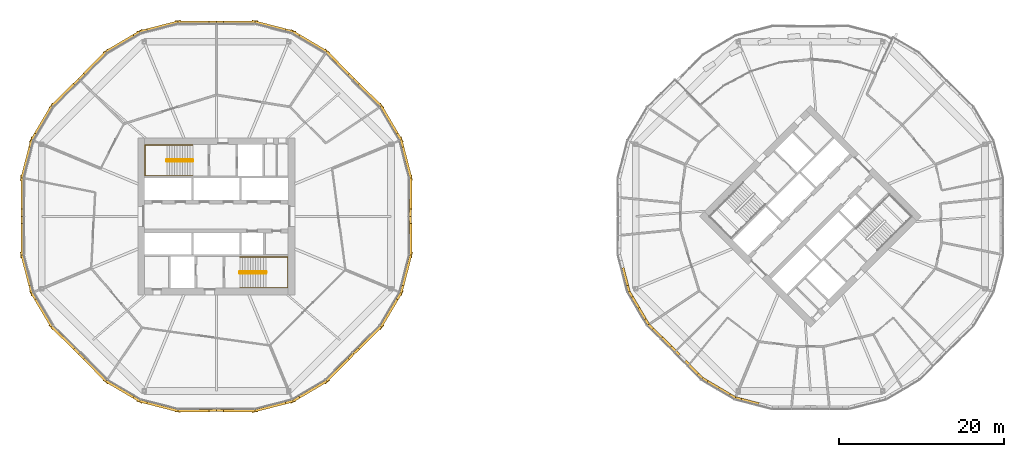
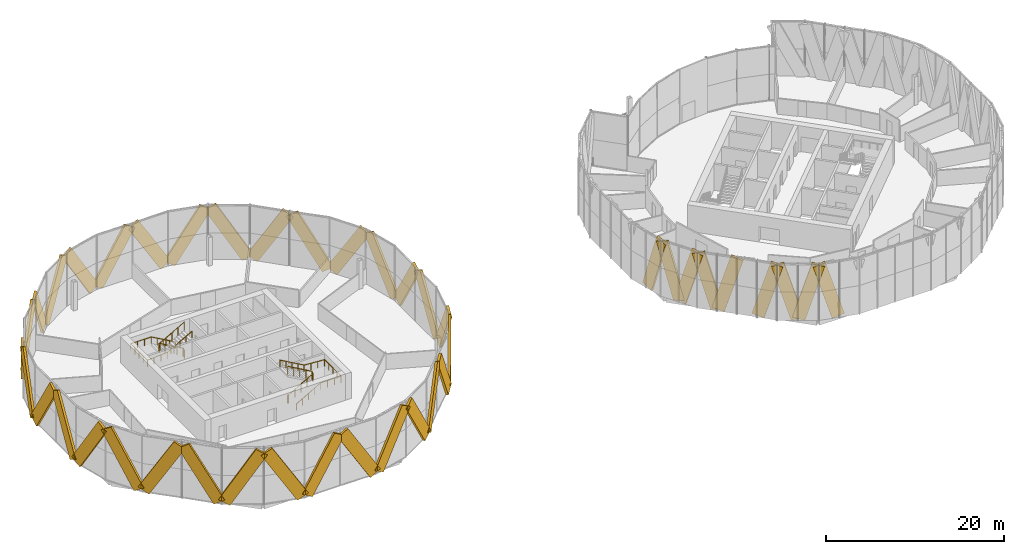
# One storey, part 28 of 31: 41 coverings, 4 railings.
"""IFC4 building model written with IfcOpenShell, lengths in metres."""

from ifc_helpers import new_model, si_unit, direction, frame, origin, origin_2d, place, context, subcontext, project, spatial, rectangle, circle, extrude, material, material_profile, profile_set, type_object, element, save


model = new_model("IFC4")

# Units and contexts
model_context = context("Model", 3, precision=1e-05, world=origin(), true_north=direction((0.0, 1.0)))
body_context = subcontext(model_context, "Body", "Model", "MODEL_VIEW")
ifc_project = project(units=[si_unit("LENGTHUNIT", "METRE"), si_unit("AREAUNIT", "SQUARE_METRE"), si_unit("VOLUMEUNIT", "CUBIC_METRE"), si_unit("PLANEANGLEUNIT", "RADIAN"), si_unit("MASSUNIT", "GRAM", prefix="KILO")], contexts=[model_context])

# Site, building, storey
site_placement = place(None, origin())
site = spatial("IfcSite", under=ifc_project, at=site_placement, CompositionType="ELEMENT")
building_placement = place(site_placement, origin())
building = spatial("IfcBuilding", under=site, at=building_placement, Name="Ogive Gate Towers", CompositionType="ELEMENT")
storey_placement = place(building_placement, frame((0.0, 0.0, 63.60009765625)))
storey = spatial("IfcBuildingStorey", under=building, at=storey_placement, Name="L14", CompositionType="ELEMENT", Elevation=63.60009765625)

# Coverings
ifc_material_1 = material(Name="Pale metal aluminium", Category="aluminium")
ifc_material_profile = material_profile(ifc_material_1, rectangle(XDim=0.300048828125, YDim=1.5, at=origin_2d()), Name="1500 x 300 pale metal aluminium")
ifc_profile_set = profile_set([ifc_material_profile], Name="Pale metal aluminium")
covering_type = type_object("IfcCoveringType", Name="Facade fin 1500 x 300", PredefinedType="CLADDING", material=ifc_profile_set)
covering_1_placement = place(storey_placement, frame((-12.437744140625, 4.402587890625, 0.136962890625), z_axis=(-0.004952087992, -0.515923020897, 0.856620635598), x_axis=(0.999953937565, -0.009598059567, 0.0)))
element("IfcCovering", 1, at=covering_1_placement, inside=storey, type_object=covering_type, Name="Facade fin", PredefinedType="CLADDING", context=body_context, shape_type="SweptSolid", body=[
    extrude(rectangle(XDim=0.300048828125, YDim=1.5, at=origin_2d()), origin(), (0.0, 0.0, 1.0), 8.085205078125),
])
covering_2_placement = place(storey_placement, frame((-12.501708984375, 4.9208984375, 0.140625), z_axis=(-0.129824733798, 0.504509156934, 0.853590094286), x_axis=(-0.968449485459, -0.249209939837, 0.0)))
element("IfcCovering", 2, at=covering_2_placement, inside=storey, type_object=covering_type, Name="Facade fin", PredefinedType="CLADDING", context=body_context, shape_type="SweptSolid", body=[
    extrude(rectangle(XDim=0.300048828125, YDim=1.5, at=origin_2d()), origin(), (0.0, 0.0, 1.0), 8.105224609375),
])
covering_3_placement = place(storey_placement, frame((-15.904296875, 13.13623046875, 0.140625), z_axis=(0.264922118962, -0.448545227228, 0.853594429466), x_axis=(0.861033564739, 0.508548129869, 0.0)))
element("IfcCovering", 3, at=covering_3_placement, inside=storey, type_object=covering_type, Name="Facade fin", PredefinedType="CLADDING", context=body_context, shape_type="SweptSolid", body=[
    extrude(rectangle(XDim=0.300048828125, YDim=1.5, at=origin_2d()), origin(), (0.0, 0.0, 1.0), 8.10498046875),
])
for number, where, z_axis, x_axis, name in (
    (4, (-16.2255859375, 13.5478515625, 0.136962890625), (-0.368345688178, 0.361340507454, 0.856594706774), (-0.7002860986, -0.713862297721, 0.0), "Facade fin"),
    (5, (-22.4521484375, 19.7744140625, 0.136962890625), (0.361340507454, -0.368345688178, 0.856594706774), (0.713862297721, 0.7002860986, 0.0), "Facade fin"),
):
    element("IfcCovering", number, at=place(storey_placement, frame(where, z_axis=z_axis, x_axis=x_axis)), inside=storey, type_object=covering_type, Name=name, PredefinedType="CLADDING", context=body_context, shape_type="SweptSolid", body=[
        extrude(rectangle(XDim=0.300048828125, YDim=1.5, at=origin_2d()), origin(), (0.0, 0.0, 1.0), 8.08544921875),
    ])
covering_4_placement = place(storey_placement, frame((-22.86376953125, 20.095703125, 0.140625), z_axis=(-0.448545227228, 0.264922118962, 0.853594429466), x_axis=(-0.508548129869, -0.861033564739, 0.0)))
element("IfcCovering", 6, at=covering_4_placement, inside=storey, type_object=covering_type, Name="Facade fin", PredefinedType="CLADDING", context=body_context, shape_type="SweptSolid", body=[
    extrude(rectangle(XDim=0.300048828125, YDim=1.5, at=origin_2d()), origin(), (0.0, 0.0, 1.0), 8.10498046875),
])
covering_5_placement = place(storey_placement, frame((-31.0791015625, 23.498291015625, 0.140625), z_axis=(0.504509156934, -0.129824733798, 0.853590094286), x_axis=(0.249209939837, 0.968449485459, 0.0)))
element("IfcCovering", 7, at=covering_5_placement, inside=storey, type_object=covering_type, Name="Facade fin", PredefinedType="CLADDING", context=body_context, shape_type="SweptSolid", body=[
    extrude(rectangle(XDim=0.300048828125, YDim=1.5, at=origin_2d()), origin(), (0.0, 0.0, 1.0), 8.105224609375),
])
for number, where, z_axis, x_axis, name in (
    (8, (-31.597412109375, 23.562255859375, 0.136962890625), (-0.515923020897, -0.004952087992, 0.856620635598), (0.009598059567, -0.999953937565, 0.0), "Facade fin"),
    (9, (-40.402587890625, 23.562255859375, 0.136962890625), (0.515923020897, -0.004952087992, 0.856620635598), (0.009598059567, 0.999953937565, 0.0), "Facade fin"),
):
    element("IfcCovering", number, at=place(storey_placement, frame(where, z_axis=z_axis, x_axis=x_axis)), inside=storey, type_object=covering_type, Name=name, PredefinedType="CLADDING", context=body_context, shape_type="SweptSolid", body=[
        extrude(rectangle(XDim=0.300048828125, YDim=1.5, at=origin_2d()), origin(), (0.0, 0.0, 1.0), 8.085205078125),
    ])
covering_6_placement = place(storey_placement, frame((-40.9208984375, 23.498291015625, 0.140625), z_axis=(-0.504509156934, -0.129824733798, 0.853590094286), x_axis=(0.249209939837, -0.968449485459, 0.0)))
element("IfcCovering", 10, at=covering_6_placement, inside=storey, type_object=covering_type, Name="Facade fin", PredefinedType="CLADDING", context=body_context, shape_type="SweptSolid", body=[
    extrude(rectangle(XDim=0.300048828125, YDim=1.5, at=origin_2d()), origin(), (0.0, 0.0, 1.0), 8.105224609375),
])
covering_7_placement = place(storey_placement, frame((-49.13623046875, 20.095703125, 0.140625), z_axis=(0.448545227228, 0.264922118962, 0.853594429466), x_axis=(-0.508548129869, 0.861033564739, 0.0)))
element("IfcCovering", 11, at=covering_7_placement, inside=storey, type_object=covering_type, Name="Facade fin", PredefinedType="CLADDING", context=body_context, shape_type="SweptSolid", body=[
    extrude(rectangle(XDim=0.300048828125, YDim=1.5, at=origin_2d()), origin(), (0.0, 0.0, 1.0), 8.10498046875),
])
for number, where, z_axis, x_axis, name in (
    (12, (-49.5478515625, 19.7744140625, 0.136962890625), (-0.361340507454, -0.368345688178, 0.856594706774), (0.713862297721, -0.7002860986, 0.0), "Facade fin"),
    (13, (-55.7744140625, 13.5478515625, 0.136962890625), (0.368345688178, 0.361340507454, 0.856594706774), (-0.7002860986, 0.713862297721, 0.0), "Facade fin"),
):
    element("IfcCovering", number, at=place(storey_placement, frame(where, z_axis=z_axis, x_axis=x_axis)), inside=storey, type_object=covering_type, Name=name, PredefinedType="CLADDING", context=body_context, shape_type="SweptSolid", body=[
        extrude(rectangle(XDim=0.300048828125, YDim=1.5, at=origin_2d()), origin(), (0.0, 0.0, 1.0), 8.08544921875),
    ])
covering_8_placement = place(storey_placement, frame((-56.095703125, 13.13623046875, 0.140625), z_axis=(-0.264922118962, -0.448545227228, 0.853594429466), x_axis=(0.861033564739, -0.508548129869, 0.0)))
element("IfcCovering", 14, at=covering_8_placement, inside=storey, type_object=covering_type, Name="Facade fin", PredefinedType="CLADDING", context=body_context, shape_type="SweptSolid", body=[
    extrude(rectangle(XDim=0.300048828125, YDim=1.5, at=origin_2d()), origin(), (0.0, 0.0, 1.0), 8.10498046875),
])
covering_9_placement = place(storey_placement, frame((-59.498291015625, 4.9208984375, 0.140625), z_axis=(0.129824733798, 0.504509156934, 0.853590094286), x_axis=(-0.968449485459, 0.249209939837, 0.0)))
element("IfcCovering", 15, at=covering_9_placement, inside=storey, type_object=covering_type, Name="Facade fin", PredefinedType="CLADDING", context=body_context, shape_type="SweptSolid", body=[
    extrude(rectangle(XDim=0.300048828125, YDim=1.5, at=origin_2d()), origin(), (0.0, 0.0, 1.0), 8.105224609375),
])
for number, where, z_axis, x_axis, name in (
    (16, (-59.562255859375, 4.402587890625, 0.136962890625), (0.004952087992, -0.515923020897, 0.856620635598), (0.999953937565, 0.009598059567, 0.0), "Facade fin"),
    (17, (-59.562255859375, -4.402587890625, 0.136962890625), (0.004952087992, 0.515923020897, 0.856620635598), (-0.999953937565, 0.009598059567, 0.0), "Facade fin"),
):
    element("IfcCovering", number, at=place(storey_placement, frame(where, z_axis=z_axis, x_axis=x_axis)), inside=storey, type_object=covering_type, Name=name, PredefinedType="CLADDING", context=body_context, shape_type="SweptSolid", body=[
        extrude(rectangle(XDim=0.300048828125, YDim=1.5, at=origin_2d()), origin(), (0.0, 0.0, 1.0), 8.085205078125),
    ])
covering_10_placement = place(storey_placement, frame((-59.498291015625, -4.9208984375, 0.140625), z_axis=(0.129824733798, -0.504509156934, 0.853590094286), x_axis=(0.968449485459, 0.249209939837, 0.0)))
element("IfcCovering", 18, at=covering_10_placement, inside=storey, type_object=covering_type, Name="Facade fin", PredefinedType="CLADDING", context=body_context, shape_type="SweptSolid", body=[
    extrude(rectangle(XDim=0.300048828125, YDim=1.5, at=origin_2d()), origin(), (0.0, 0.0, 1.0), 8.105224609375),
])
covering_11_placement = place(storey_placement, frame((-56.095703125, -13.13623046875, 0.140625), z_axis=(-0.264922118962, 0.448545227228, 0.853594429466), x_axis=(-0.861033564739, -0.508548129869, 0.0)))
element("IfcCovering", 19, at=covering_11_placement, inside=storey, type_object=covering_type, Name="Facade fin", PredefinedType="CLADDING", context=body_context, shape_type="SweptSolid", body=[
    extrude(rectangle(XDim=0.300048828125, YDim=1.5, at=origin_2d()), origin(), (0.0, 0.0, 1.0), 8.10498046875),
])
for number, where, z_axis, x_axis, name in (
    (20, (-55.7744140625, -13.5478515625, 0.136962890625), (0.368345688178, -0.361340507454, 0.856594706774), (0.7002860986, 0.713862297721, 0.0), "Facade fin"),
    (21, (-49.5478515625, -19.7744140625, 0.136962890625), (-0.361340507454, 0.368345688178, 0.856594706774), (-0.713862297721, -0.7002860986, 0.0), "Facade fin"),
):
    element("IfcCovering", number, at=place(storey_placement, frame(where, z_axis=z_axis, x_axis=x_axis)), inside=storey, type_object=covering_type, Name=name, PredefinedType="CLADDING", context=body_context, shape_type="SweptSolid", body=[
        extrude(rectangle(XDim=0.300048828125, YDim=1.5, at=origin_2d()), origin(), (0.0, 0.0, 1.0), 8.08544921875),
    ])
covering_12_placement = place(storey_placement, frame((-49.13623046875, -20.095703125, 0.140625), z_axis=(0.448545227228, -0.264922118962, 0.853594429466), x_axis=(0.508548129869, 0.861033564739, 0.0)))
element("IfcCovering", 22, at=covering_12_placement, inside=storey, type_object=covering_type, Name="Facade fin", PredefinedType="CLADDING", context=body_context, shape_type="SweptSolid", body=[
    extrude(rectangle(XDim=0.300048828125, YDim=1.5, at=origin_2d()), origin(), (0.0, 0.0, 1.0), 8.10498046875),
])
covering_13_placement = place(storey_placement, frame((-40.9208984375, -23.498291015625, 0.140625), z_axis=(-0.504509156934, 0.129824733798, 0.853590094286), x_axis=(-0.249209939837, -0.968449485459, 0.0)))
element("IfcCovering", 23, at=covering_13_placement, inside=storey, type_object=covering_type, Name="Facade fin", PredefinedType="CLADDING", context=body_context, shape_type="SweptSolid", body=[
    extrude(rectangle(XDim=0.300048828125, YDim=1.5, at=origin_2d()), origin(), (0.0, 0.0, 1.0), 8.105224609375),
])
for number, where, z_axis, x_axis, name in (
    (24, (-40.402587890625, -23.562255859375, 0.136962890625), (0.515923020897, 0.004952087992, 0.856620635598), (-0.009598059567, 0.999953937565, 0.0), "Facade fin"),
    (25, (-31.597412109375, -23.562255859375, 0.136962890625), (-0.515923020897, 0.004952087992, 0.856620635598), (-0.009598059567, -0.999953937565, 0.0), "Facade fin"),
):
    element("IfcCovering", number, at=place(storey_placement, frame(where, z_axis=z_axis, x_axis=x_axis)), inside=storey, type_object=covering_type, Name=name, PredefinedType="CLADDING", context=body_context, shape_type="SweptSolid", body=[
        extrude(rectangle(XDim=0.300048828125, YDim=1.5, at=origin_2d()), origin(), (0.0, 0.0, 1.0), 8.085205078125),
    ])
covering_14_placement = place(storey_placement, frame((-31.0791015625, -23.498291015625, 0.140625), z_axis=(0.504509156934, 0.129824733798, 0.853590094286), x_axis=(-0.249209939837, 0.968449485459, 0.0)))
element("IfcCovering", 26, at=covering_14_placement, inside=storey, type_object=covering_type, Name="Facade fin", PredefinedType="CLADDING", context=body_context, shape_type="SweptSolid", body=[
    extrude(rectangle(XDim=0.300048828125, YDim=1.5, at=origin_2d()), origin(), (0.0, 0.0, 1.0), 8.105224609375),
])
covering_15_placement = place(storey_placement, frame((-22.86376953125, -20.095703125, 0.140625), z_axis=(-0.448545227228, -0.264922118962, 0.853594429466), x_axis=(0.508548129869, -0.861033564739, 0.0)))
element("IfcCovering", 27, at=covering_15_placement, inside=storey, type_object=covering_type, Name="Facade fin", PredefinedType="CLADDING", context=body_context, shape_type="SweptSolid", body=[
    extrude(rectangle(XDim=0.300048828125, YDim=1.5, at=origin_2d()), origin(), (0.0, 0.0, 1.0), 8.10498046875),
])
for number, where, z_axis, x_axis, name in (
    (28, (-22.4521484375, -19.7744140625, 0.136962890625), (0.361340507454, 0.368345688178, 0.856594706774), (-0.713862297721, 0.7002860986, 0.0), "Facade fin"),
    (29, (-16.2255859375, -13.5478515625, 0.136962890625), (-0.368345688178, -0.361340507454, 0.856594706774), (0.7002860986, -0.713862297721, 0.0), "Facade fin"),
):
    element("IfcCovering", number, at=place(storey_placement, frame(where, z_axis=z_axis, x_axis=x_axis)), inside=storey, type_object=covering_type, Name=name, PredefinedType="CLADDING", context=body_context, shape_type="SweptSolid", body=[
        extrude(rectangle(XDim=0.300048828125, YDim=1.5, at=origin_2d()), origin(), (0.0, 0.0, 1.0), 8.08544921875),
    ])
covering_16_placement = place(storey_placement, frame((-15.904296875, -13.13623046875, 0.140625), z_axis=(0.264922118962, 0.448545227228, 0.853594429466), x_axis=(-0.861033564739, 0.508548129869, 0.0)))
element("IfcCovering", 30, at=covering_16_placement, inside=storey, type_object=covering_type, Name="Facade fin", PredefinedType="CLADDING", context=body_context, shape_type="SweptSolid", body=[
    extrude(rectangle(XDim=0.300048828125, YDim=1.5, at=origin_2d()), origin(), (0.0, 0.0, 1.0), 8.10498046875),
])
covering_17_placement = place(storey_placement, frame((-12.501708984375, -4.9208984375, 0.140625), z_axis=(-0.129824733798, -0.504509156934, 0.853590094286), x_axis=(0.968449485459, -0.249209939837, 0.0)))
element("IfcCovering", 31, at=covering_17_placement, inside=storey, type_object=covering_type, Name="Facade fin", PredefinedType="CLADDING", context=body_context, shape_type="SweptSolid", body=[
    extrude(rectangle(XDim=0.300048828125, YDim=1.5, at=origin_2d()), origin(), (0.0, 0.0, 1.0), 8.105224609375),
])
covering_18_placement = place(storey_placement, frame((-12.437744140625, -4.402587890625, 0.136962890625), z_axis=(-0.004952087992, 0.515923020897, 0.856620635598), x_axis=(-0.999953937565, -0.009598059567, 0.0)))
element("IfcCovering", 32, at=covering_18_placement, inside=storey, type_object=covering_type, Name="Facade fin", PredefinedType="CLADDING", context=body_context, shape_type="SweptSolid", body=[
    extrude(rectangle(XDim=0.300048828125, YDim=1.5, at=origin_2d()), origin(), (0.0, 0.0, 1.0), 8.085205078125),
])
covering_19_placement = place(storey_placement, frame((18.05419921875, -14.75341796875, -0.136474609375), z_axis=(0.203432553912, -0.199560066539, 0.958535850061), x_axis=(0.700279630907, 0.713868642354, 0.0)))
element("IfcCovering", 33, at=covering_19_placement, inside=storey, type_object=covering_type, Name="Facade fin", PredefinedType="CLADDING", context=body_context, shape_type="SweptSolid", body=[
    extrude(rectangle(XDim=0.300048828125, YDim=1.5, at=origin_2d()), origin(), (0.0, 0.0, 1.0), 7.69140625),
])
covering_20_placement = place(storey_placement, frame((17.963623046875, -14.664306640625, -0.136474609375), z_axis=(-0.203462981693, 0.199558777832, 0.958529660089), x_axis=(-0.700223950819, -0.713923258271, 0.0)))
element("IfcCovering", 34, at=covering_20_placement, inside=storey, type_object=covering_type, Name="Facade fin", PredefinedType="CLADDING", context=body_context, shape_type="SweptSolid", body=[
    extrude(rectangle(XDim=0.300048828125, YDim=1.5, at=origin_2d()), origin(), (0.0, 0.0, 1.0), 7.691650390625),
])
for number, where, z_axis, x_axis, name in (
    (35, (15.2255859375, -11.160888671875, -0.1337890625), (0.146654346537, -0.248347808383, 0.957505022814), (0.86107323281, 0.508480961038, 0.0), "Facade fin"),
    (36, (15.1591796875, -11.048828125, -0.1337890625), (-0.146654346537, 0.248347808383, 0.957505022814), (-0.86107323281, -0.508480961038, 0.0), "Facade fin"),
    (37, (13.45068359375, -6.924072265625, -0.1337890625), (0.071899240348, -0.279315539621, 0.957503696371), (0.968429977882, 0.249285735531, 0.0), "Facade fin"),
    (38, (29.075927734375, -22.54931640625, -0.1337890625), (-0.279315539621, 0.071899240348, 0.957503696371), (-0.249285735531, -0.968429977882, 0.0), "Facade fin"),
    (39, (24.951171875, -20.8408203125, -0.1337890625), (0.248347808383, -0.146654346537, 0.957505022814), (0.508480961038, 0.86107323281, 0.0), "Facade fin"),
    (40, (24.839111328125, -20.7744140625, -0.1337890625), (-0.248347808383, 0.146654346537, 0.957505022814), (-0.508480961038, -0.86107323281, 0.0), "Facade fin"),
):
    element("IfcCovering", number, at=place(storey_placement, frame(where, z_axis=z_axis, x_axis=x_axis)), inside=storey, type_object=covering_type, Name=name, PredefinedType="CLADDING", context=body_context, shape_type="SweptSolid", body=[
        extrude(rectangle(XDim=0.300048828125, YDim=1.5, at=origin_2d()), origin(), (0.0, 0.0, 1.0), 7.6943359375),
    ])
covering_21_placement = place(storey_placement, frame((21.335693359375, -18.036376953125, -0.136474609375), z_axis=(0.199558777832, -0.203462981693, 0.958529660089), x_axis=(0.713923258271, 0.700223950819, 0.0)))
element("IfcCovering", 41, at=covering_21_placement, inside=storey, type_object=covering_type, Name="Facade fin", PredefinedType="CLADDING", context=body_context, shape_type="SweptSolid", body=[
    extrude(rectangle(XDim=0.300048828125, YDim=1.5, at=origin_2d()), origin(), (0.0, 0.0, 1.0), 7.691650390625),
])

# Railings
ifc_material_2 = material(Name="Stainless steel", Category="steel")
railing_type_1 = type_object("IfcRailingType", Name="Stair guard 1100", PredefinedType="GUARDRAIL", material=ifc_material_2)
railing_1_placement = place(storey_placement, frame((-38.81494140625, 6.860107421875, 0.0)))
element("IfcRailing", 42, at=railing_1_placement, inside=storey, type_object=railing_type_1, Name="L14 ST1 stair guard 1", PredefinedType="GUARDRAIL", context=body_context, shape_type="SweptSolid", body=[
    extrude(circle(Radius=0.02392578125, at=origin_2d()), frame((0.0, 0.0, 1.076171875), z_axis=(0.0, -1.0, 0.0), x_axis=(1.0, 0.0, 0.0)), (0.0, 0.0, 1.0), 0.14501953125),
    extrude(circle(Radius=0.02392578125, at=origin_2d()), frame((0.0, -0.14501953125, 1.076171875), z_axis=(-0.186679794065, 0.726685247142, 0.661119660934), x_axis=(-0.968551454522, -0.24881334358, 0.0)), (0.0, 0.0, 1.0), 0.26806640625),
    extrude(circle(Radius=0.02392578125, at=origin_2d()), frame((-0.050048828125, 0.0498046875, 1.25341796875), z_axis=(-0.870572935281, 0.0, 0.492039393094), x_axis=(0.0, -1.0, 0.0)), (0.0, 0.0, 1.0), 3.602783203125),
    extrude(circle(Radius=0.02392578125, at=origin_2d()), frame((-3.1865234375, 0.0498046875, 3.02587890625), z_axis=(-0.707106781187, -0.707106781187, 0.0), x_axis=(0.707106781187, -0.707106781187, 0.0)), (0.0, 0.0, 1.0), 0.0703125),
    extrude(circle(Radius=0.02392578125, at=origin_2d()), frame((-3.236328125, 0.0, 3.02587890625), z_axis=(0.0, -1.0, 0.0), x_axis=(1.0, 0.0, 0.0)), (0.0, 0.0, 1.0), 0.14501953125),
    extrude(circle(Radius=0.02392578125, at=origin_2d()), frame((-3.236328125, -0.14501953125, 3.02587890625), z_axis=(0.261041864531, -0.262321481514, 0.929001929653), x_axis=(0.708833529934, 0.705375805398, 0.0)), (0.0, 0.0, 1.0), 0.190673828125),
    extrude(circle(Radius=0.02392578125, at=origin_2d()), frame((-3.1865234375, -0.195068359375, 3.203125), z_axis=(0.870572935281, 0.0, 0.492039393094), x_axis=(0.0, 1.0, 0.0)), (0.0, 0.0, 1.0), 3.602783203125),
    extrude(circle(Radius=0.02099609375, at=origin_2d()), origin(), (0.0, 0.0, 1.0), 1.052001953125),
    extrude(circle(Radius=0.02099609375, at=origin_2d()), frame((0.0, -0.14501953125, 0.0)), (0.0, 0.0, 1.0), 1.052001953125),
    extrude(circle(Radius=0.02099609375, at=origin_2d()), frame((-0.050048828125, 0.0498046875, 0.17724609375)), (0.0, 0.0, 1.0), 1.052001953125),
    extrude(circle(Radius=0.02099609375, at=origin_2d()), frame((-0.834228515625, 0.0498046875, 0.620361328125)), (0.0, 0.0, 1.0), 1.052001953125),
    extrude(circle(Radius=0.02099609375, at=origin_2d()), frame((-1.6181640625, 0.0498046875, 1.0634765625)), (0.0, 0.0, 1.0), 1.052001953125),
    extrude(circle(Radius=0.02099609375, at=origin_2d()), frame((-2.40234375, 0.0498046875, 1.5068359375)), (0.0, 0.0, 1.0), 1.052001953125),
    extrude(circle(Radius=0.02099609375, at=origin_2d()), frame((-3.1865234375, 0.0498046875, 1.949951171875)), (0.0, 0.0, 1.0), 1.052001953125),
    extrude(circle(Radius=0.02099609375, at=origin_2d()), frame((-3.236328125, 0.0, 1.949951171875)), (0.0, 0.0, 1.0), 1.052001953125),
    extrude(circle(Radius=0.02099609375, at=origin_2d()), frame((-3.236328125, -0.14501953125, 1.949951171875)), (0.0, 0.0, 1.0), 1.052001953125),
    extrude(circle(Radius=0.02099609375, at=origin_2d()), frame((-3.1865234375, -0.195068359375, 2.127197265625)), (0.0, 0.0, 1.0), 1.052001953125),
    extrude(circle(Radius=0.02099609375, at=origin_2d()), frame((-2.40234375, -0.195068359375, 2.5703125)), (0.0, 0.0, 1.0), 1.052001953125),
    extrude(circle(Radius=0.02099609375, at=origin_2d()), frame((-1.6181640625, -0.195068359375, 3.013671875)), (0.0, 0.0, 1.0), 1.052001953125),
    extrude(circle(Radius=0.02099609375, at=origin_2d()), frame((-0.834228515625, -0.195068359375, 3.456787109375)), (0.0, 0.0, 1.0), 1.052001953125),
    extrude(circle(Radius=0.02099609375, at=origin_2d()), frame((-0.050048828125, -0.195068359375, 3.89990234375)), (0.0, 0.0, 1.0), 1.052001953125),
])
railing_2_placement = place(storey_placement, frame((-33.18505859375, -6.860107421875, 0.0)))
element("IfcRailing", 43, at=railing_2_placement, inside=storey, type_object=railing_type_1, Name="L14 ST2 stair guard 1", PredefinedType="GUARDRAIL", context=body_context, shape_type="SweptSolid", body=[
    extrude(circle(Radius=0.02392578125, at=origin_2d()), frame((0.0, 0.0, 1.076171875), z_axis=(0.0, 1.0, 0.0), x_axis=(-1.0, 0.0, 0.0)), (0.0, 0.0, 1.0), 0.14501953125),
    extrude(circle(Radius=0.02392578125, at=origin_2d()), frame((0.0, 0.14501953125, 1.076171875), z_axis=(0.186679794065, -0.726685247142, 0.661119660934), x_axis=(0.968551454522, 0.24881334358, 0.0)), (0.0, 0.0, 1.0), 0.26806640625),
    extrude(circle(Radius=0.02392578125, at=origin_2d()), frame((0.050048828125, -0.0498046875, 1.25341796875), z_axis=(0.870572935281, 0.0, 0.492039393094), x_axis=(0.0, 1.0, 0.0)), (0.0, 0.0, 1.0), 3.602783203125),
    extrude(circle(Radius=0.02392578125, at=origin_2d()), frame((3.1865234375, -0.0498046875, 3.02587890625), z_axis=(0.707106781187, 0.707106781187, 0.0), x_axis=(-0.707106781187, 0.707106781187, 0.0)), (0.0, 0.0, 1.0), 0.0703125),
    extrude(circle(Radius=0.02392578125, at=origin_2d()), frame((3.236328125, 0.0, 3.02587890625), z_axis=(0.0, 1.0, 0.0), x_axis=(-1.0, 0.0, 0.0)), (0.0, 0.0, 1.0), 0.14501953125),
    extrude(circle(Radius=0.02392578125, at=origin_2d()), frame((3.236328125, 0.14501953125, 3.02587890625), z_axis=(-0.261041864531, 0.262321481514, 0.929001929653), x_axis=(-0.708833529934, -0.705375805398, 0.0)), (0.0, 0.0, 1.0), 0.190673828125),
    extrude(circle(Radius=0.02392578125, at=origin_2d()), frame((3.1865234375, 0.195068359375, 3.203125), z_axis=(-0.870572935281, 0.0, 0.492039393094), x_axis=(0.0, -1.0, 0.0)), (0.0, 0.0, 1.0), 3.602783203125),
    extrude(circle(Radius=0.02099609375, at=origin_2d()), origin(), (0.0, 0.0, 1.0), 1.052001953125),
    extrude(circle(Radius=0.02099609375, at=origin_2d()), frame((0.0, 0.14501953125, 0.0)), (0.0, 0.0, 1.0), 1.052001953125),
    extrude(circle(Radius=0.02099609375, at=origin_2d()), frame((0.050048828125, -0.0498046875, 0.17724609375)), (0.0, 0.0, 1.0), 1.052001953125),
    extrude(circle(Radius=0.02099609375, at=origin_2d()), frame((0.834228515625, -0.0498046875, 0.620361328125)), (0.0, 0.0, 1.0), 1.052001953125),
    extrude(circle(Radius=0.02099609375, at=origin_2d()), frame((1.6181640625, -0.0498046875, 1.0634765625)), (0.0, 0.0, 1.0), 1.052001953125),
    extrude(circle(Radius=0.02099609375, at=origin_2d()), frame((2.40234375, -0.0498046875, 1.5068359375)), (0.0, 0.0, 1.0), 1.052001953125),
    extrude(circle(Radius=0.02099609375, at=origin_2d()), frame((3.1865234375, -0.0498046875, 1.949951171875)), (0.0, 0.0, 1.0), 1.052001953125),
    extrude(circle(Radius=0.02099609375, at=origin_2d()), frame((3.236328125, 0.0, 1.949951171875)), (0.0, 0.0, 1.0), 1.052001953125),
    extrude(circle(Radius=0.02099609375, at=origin_2d()), frame((3.236328125, 0.14501953125, 1.949951171875)), (0.0, 0.0, 1.0), 1.052001953125),
    extrude(circle(Radius=0.02099609375, at=origin_2d()), frame((3.1865234375, 0.195068359375, 2.127197265625)), (0.0, 0.0, 1.0), 1.052001953125),
    extrude(circle(Radius=0.02099609375, at=origin_2d()), frame((2.40234375, 0.195068359375, 2.5703125)), (0.0, 0.0, 1.0), 1.052001953125),
    extrude(circle(Radius=0.02099609375, at=origin_2d()), frame((1.6181640625, 0.195068359375, 3.013671875)), (0.0, 0.0, 1.0), 1.052001953125),
    extrude(circle(Radius=0.02099609375, at=origin_2d()), frame((0.834228515625, 0.195068359375, 3.456787109375)), (0.0, 0.0, 1.0), 1.052001953125),
    extrude(circle(Radius=0.02099609375, at=origin_2d()), frame((0.050048828125, 0.195068359375, 3.89990234375)), (0.0, 0.0, 1.0), 1.052001953125),
])
railing_type_2 = type_object("IfcRailingType", Name="Stair handrail 900", PredefinedType="HANDRAIL", material=ifc_material_2)
railing_3_placement = place(storey_placement, frame((-38.864990234375, 8.64990234375, 0.17724609375)))
element("IfcRailing", 44, at=railing_3_placement, inside=storey, type_object=railing_type_2, Name="L14 ST1 stair handrail 1", PredefinedType="HANDRAIL", context=body_context, shape_type="SweptSolid", body=[
    extrude(circle(Radius=0.02392578125, at=origin_2d()), frame((0.0, 0.0, 0.8759765625), z_axis=(-0.870572935281, 0.0, 0.492039393094), x_axis=(0.0, -1.0, 0.0)), (0.0, 0.0, 1.0), 3.602783203125),
    extrude(circle(Radius=0.02392578125, at=origin_2d()), frame((-3.136474609375, 0.0, 2.6484375), z_axis=(-1.0, 0.0, 0.0), x_axis=(0.0, -1.0, 0.0)), (0.0, 0.0, 1.0), 2.6484375),
    extrude(circle(Radius=0.02392578125, at=origin_2d()), frame((-5.784912109375, 0.0, 2.6484375), z_axis=(0.0, -1.0, 0.0), x_axis=(1.0, 0.0, 0.0)), (0.0, 0.0, 1.0), 3.724853515625),
    extrude(circle(Radius=0.02392578125, at=origin_2d()), frame((-5.784912109375, -3.724853515625, 2.6484375), z_axis=(0.997768031817, 0.0, 0.066775404784), x_axis=(0.0, 1.0, 0.0)), (0.0, 0.0, 1.0), 2.654296875),
    extrude(circle(Radius=0.02392578125, at=origin_2d()), frame((-3.136474609375, -3.724853515625, 2.82568359375), z_axis=(0.870572935281, 0.0, 0.492039393094), x_axis=(0.0, 1.0, 0.0)), (0.0, 0.0, 1.0), 3.602783203125),
    extrude(circle(Radius=0.02099609375, at=origin_2d()), origin(), (0.0, 0.0, 1.0), 0.851806640625),
    extrude(circle(Radius=0.02099609375, at=origin_2d()), frame((-0.7841796875, 0.0, 0.443115234375)), (0.0, 0.0, 1.0), 0.851806640625),
    extrude(circle(Radius=0.02099609375, at=origin_2d()), frame((-1.568359375, 0.0, 0.88623046875)), (0.0, 0.0, 1.0), 0.851806640625),
    extrude(circle(Radius=0.02099609375, at=origin_2d()), frame((-2.352294921875, 0.0, 1.32958984375)), (0.0, 0.0, 1.0), 0.851806640625),
    extrude(circle(Radius=0.02099609375, at=origin_2d()), frame((-3.136474609375, 0.0, 1.772705078125)), (0.0, 0.0, 1.0), 0.851806640625),
    extrude(circle(Radius=0.02099609375, at=origin_2d()), frame((-4.019287109375, 0.0, 1.772705078125)), (0.0, 0.0, 1.0), 0.851806640625),
    extrude(circle(Radius=0.02099609375, at=origin_2d()), frame((-4.902099609375, 0.0, 1.772705078125)), (0.0, 0.0, 1.0), 0.851806640625),
    extrude(circle(Radius=0.02099609375, at=origin_2d()), frame((-5.784912109375, 0.0, 1.772705078125)), (0.0, 0.0, 1.0), 0.851806640625),
    extrude(circle(Radius=0.02099609375, at=origin_2d()), frame((-5.784912109375, -0.93115234375, 1.772705078125)), (0.0, 0.0, 1.0), 0.851806640625),
    extrude(circle(Radius=0.02099609375, at=origin_2d()), frame((-5.784912109375, -1.8623046875, 1.772705078125)), (0.0, 0.0, 1.0), 0.851806640625),
    extrude(circle(Radius=0.02099609375, at=origin_2d()), frame((-5.784912109375, -2.793701171875, 1.772705078125)), (0.0, 0.0, 1.0), 0.851806640625),
    extrude(circle(Radius=0.02099609375, at=origin_2d()), frame((-5.784912109375, -3.724853515625, 1.772705078125)), (0.0, 0.0, 1.0), 0.851806640625),
    extrude(circle(Radius=0.02099609375, at=origin_2d()), frame((-4.902099609375, -3.724853515625, 1.831787109375)), (0.0, 0.0, 1.0), 0.851806640625),
    extrude(circle(Radius=0.02099609375, at=origin_2d()), frame((-4.019287109375, -3.724853515625, 1.890869140625)), (0.0, 0.0, 1.0), 0.851806640625),
    extrude(circle(Radius=0.02099609375, at=origin_2d()), frame((-3.136474609375, -3.724853515625, 1.949951171875)), (0.0, 0.0, 1.0), 0.851806640625),
    extrude(circle(Radius=0.02099609375, at=origin_2d()), frame((-2.352294921875, -3.724853515625, 2.39306640625)), (0.0, 0.0, 1.0), 0.851806640625),
    extrude(circle(Radius=0.02099609375, at=origin_2d()), frame((-1.568359375, -3.724853515625, 2.83642578125)), (0.0, 0.0, 1.0), 0.851806640625),
    extrude(circle(Radius=0.02099609375, at=origin_2d()), frame((-0.7841796875, -3.724853515625, 3.279541015625)), (0.0, 0.0, 1.0), 0.851806640625),
    extrude(circle(Radius=0.02099609375, at=origin_2d()), frame((0.0, -3.724853515625, 3.72265625)), (0.0, 0.0, 1.0), 0.851806640625),
])
railing_4_placement = place(storey_placement, frame((-33.135009765625, -8.64990234375, 0.17724609375)))
element("IfcRailing", 45, at=railing_4_placement, inside=storey, type_object=railing_type_2, Name="L14 ST2 stair handrail 1", PredefinedType="HANDRAIL", context=body_context, shape_type="SweptSolid", body=[
    extrude(circle(Radius=0.02392578125, at=origin_2d()), frame((0.0, 0.0, 0.8759765625), z_axis=(0.870572935281, 0.0, 0.492039393094), x_axis=(0.0, 1.0, 0.0)), (0.0, 0.0, 1.0), 3.602783203125),
    extrude(circle(Radius=0.02392578125, at=origin_2d()), frame((3.136474609375, 0.0, 2.6484375), z_axis=(1.0, 0.0, 0.0), x_axis=(0.0, 1.0, 0.0)), (0.0, 0.0, 1.0), 2.6484375),
    extrude(circle(Radius=0.02392578125, at=origin_2d()), frame((5.784912109375, 0.0, 2.6484375), z_axis=(0.0, 1.0, 0.0), x_axis=(-1.0, 0.0, 0.0)), (0.0, 0.0, 1.0), 3.724853515625),
    extrude(circle(Radius=0.02392578125, at=origin_2d()), frame((5.784912109375, 3.724853515625, 2.6484375), z_axis=(-0.997768031817, 0.0, 0.066775404784), x_axis=(0.0, -1.0, 0.0)), (0.0, 0.0, 1.0), 2.654296875),
    extrude(circle(Radius=0.02392578125, at=origin_2d()), frame((3.136474609375, 3.724853515625, 2.82568359375), z_axis=(-0.870572935281, 0.0, 0.492039393094), x_axis=(0.0, -1.0, 0.0)), (0.0, 0.0, 1.0), 3.602783203125),
    extrude(circle(Radius=0.02099609375, at=origin_2d()), origin(), (0.0, 0.0, 1.0), 0.851806640625),
    extrude(circle(Radius=0.02099609375, at=origin_2d()), frame((0.7841796875, 0.0, 0.443115234375)), (0.0, 0.0, 1.0), 0.851806640625),
    extrude(circle(Radius=0.02099609375, at=origin_2d()), frame((1.568359375, 0.0, 0.88623046875)), (0.0, 0.0, 1.0), 0.851806640625),
    extrude(circle(Radius=0.02099609375, at=origin_2d()), frame((2.352294921875, 0.0, 1.32958984375)), (0.0, 0.0, 1.0), 0.851806640625),
    extrude(circle(Radius=0.02099609375, at=origin_2d()), frame((3.136474609375, 0.0, 1.772705078125)), (0.0, 0.0, 1.0), 0.851806640625),
    extrude(circle(Radius=0.02099609375, at=origin_2d()), frame((4.019287109375, 0.0, 1.772705078125)), (0.0, 0.0, 1.0), 0.851806640625),
    extrude(circle(Radius=0.02099609375, at=origin_2d()), frame((4.902099609375, 0.0, 1.772705078125)), (0.0, 0.0, 1.0), 0.851806640625),
    extrude(circle(Radius=0.02099609375, at=origin_2d()), frame((5.784912109375, 0.0, 1.772705078125)), (0.0, 0.0, 1.0), 0.851806640625),
    extrude(circle(Radius=0.02099609375, at=origin_2d()), frame((5.784912109375, 0.93115234375, 1.772705078125)), (0.0, 0.0, 1.0), 0.851806640625),
    extrude(circle(Radius=0.02099609375, at=origin_2d()), frame((5.784912109375, 1.8623046875, 1.772705078125)), (0.0, 0.0, 1.0), 0.851806640625),
    extrude(circle(Radius=0.02099609375, at=origin_2d()), frame((5.784912109375, 2.793701171875, 1.772705078125)), (0.0, 0.0, 1.0), 0.851806640625),
    extrude(circle(Radius=0.02099609375, at=origin_2d()), frame((5.784912109375, 3.724853515625, 1.772705078125)), (0.0, 0.0, 1.0), 0.851806640625),
    extrude(circle(Radius=0.02099609375, at=origin_2d()), frame((4.902099609375, 3.724853515625, 1.831787109375)), (0.0, 0.0, 1.0), 0.851806640625),
    extrude(circle(Radius=0.02099609375, at=origin_2d()), frame((4.019287109375, 3.724853515625, 1.890869140625)), (0.0, 0.0, 1.0), 0.851806640625),
    extrude(circle(Radius=0.02099609375, at=origin_2d()), frame((3.136474609375, 3.724853515625, 1.949951171875)), (0.0, 0.0, 1.0), 0.851806640625),
    extrude(circle(Radius=0.02099609375, at=origin_2d()), frame((2.352294921875, 3.724853515625, 2.39306640625)), (0.0, 0.0, 1.0), 0.851806640625),
    extrude(circle(Radius=0.02099609375, at=origin_2d()), frame((1.568359375, 3.724853515625, 2.83642578125)), (0.0, 0.0, 1.0), 0.851806640625),
    extrude(circle(Radius=0.02099609375, at=origin_2d()), frame((0.7841796875, 3.724853515625, 3.279541015625)), (0.0, 0.0, 1.0), 0.851806640625),
    extrude(circle(Radius=0.02099609375, at=origin_2d()), frame((0.0, 3.724853515625, 3.72265625)), (0.0, 0.0, 1.0), 0.851806640625),
])

save(model, "model.ifc")
